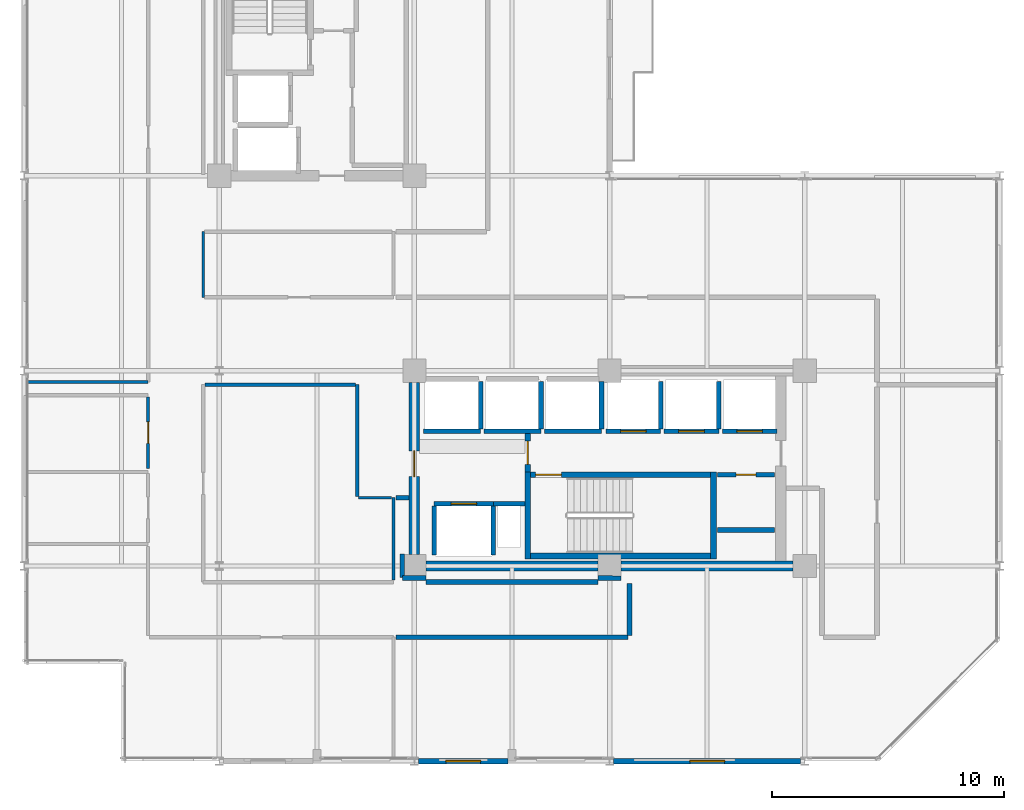
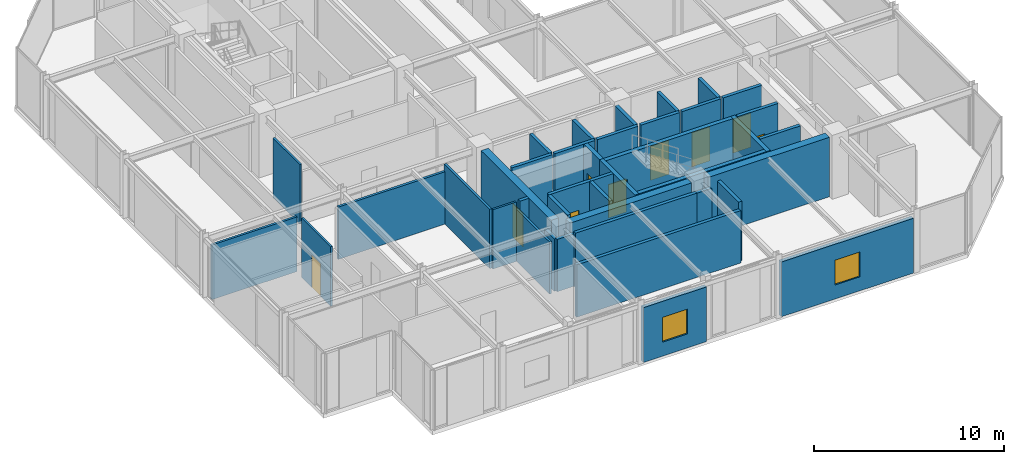
# One storey, part 20 of 25: 41 walls, 9 doors, 2 windows, 11 openings.
"""IFC4 building model written with IfcOpenShell, lengths in metres."""

from ifc_helpers import new_model, si_unit, direction, frame, frame_2d, origin, place, context, subcontext, project, spatial, rectangle, extrude, material, layer, layer_set, type_object, element, fill, save


model = new_model("IFC4")

# Units and contexts
model_context = context("Model", 3, precision=1e-05, world=origin(), true_north=direction((0.0, 1.0)))
body_context = subcontext(model_context, "Body", "Model", "MODEL_VIEW")
ifc_project = project(units=[si_unit("LENGTHUNIT", "METRE"), si_unit("AREAUNIT", "SQUARE_METRE"), si_unit("VOLUMEUNIT", "CUBIC_METRE"), si_unit("PLANEANGLEUNIT", "RADIAN"), si_unit("MASSUNIT", "GRAM", prefix="KILO")], contexts=[model_context])

# Site, building, storey
site_placement = place(None, origin())
site = spatial("IfcSite", under=ifc_project, at=site_placement, CompositionType="ELEMENT")
building_placement = place(site_placement, origin())
building = spatial("IfcBuilding", under=site, at=building_placement, Name="Nerrivon Quay Data Exchange", CompositionType="ELEMENT")
storey_placement = place(building_placement, frame((0.0, 0.0, 224.699951171875)))
storey = spatial("IfcBuildingStorey", under=building, at=storey_placement, Name="L53", CompositionType="ELEMENT", Elevation=224.699951171875)

# Wall, opening, window
ifc_material_1 = material(Name="Architectural terracotta precast concrete N50 (50 MPa)", Category="masonry")
ifc_layer_1 = layer(ifc_material_1, 0.239990234375)
ifc_layer_set_1 = layer_set([ifc_layer_1], Name="Architectural terracotta precast concrete N50 (50 MPa)")
wall_type_1 = type_object("IfcWallType", Name="EW-PREC-240", PredefinedType="STANDARD", material=ifc_layer_set_1)
wall_1_placement = place(storey_placement, frame((33.425048828125, 0.0, 0.0), z_axis=(0.0, 0.0, 1.0), x_axis=(-1.0, 0.0, 0.0)))
wall_1 = element("IfcWall", 1, at=wall_1_placement, inside=storey, type_object=wall_type_1, Name="L53 Podium Precast Spandrel Wall 3", PredefinedType="STANDARD", context=body_context, shape_type="SweptSolid", body=[
    extrude(rectangle(XDim=8.050048828125, YDim=0.239990234375, at=frame_2d((4.02490234375, 0.0))), origin(), (0.0, 0.0, 1.0), 3.525146484375),
])
opening_1_placement = place(wall_1_placement, frame((3.27490234375, 0.0, 0.89990234375)))
opening_1 = element("IfcOpeningElement", 2, at=opening_1_placement, cuts=wall_1, Name="Opening WN4", PredefinedType="OPENING", context=body_context, shape_type="SweptSolid", body=[
    extrude(rectangle(XDim=1.5, YDim=1.60009765625, at=frame_2d((0.75, 0.800048828125))), frame((0.0, 0.1298828125, 0.0), z_axis=(0.0, -1.0, 0.0), x_axis=(1.0, 0.0, 0.0)), (0.0, 0.0, 1.0), 0.260009765625),
])
ifc_material_2 = material(Name="Double-glazed low-E solar control glass", Category="glass")
window_type = type_object("IfcWindowType", Name="WIN-W4-1500x1600", PartitioningType="SINGLE_PANEL", PredefinedType="WINDOW", material=ifc_material_2)
window_1_placement = place(opening_1_placement, origin())
window_1 = element("IfcWindow", 3, at=window_1_placement, inside=storey, type_object=window_type, Name="L53 Solar Facade Window 3", OverallHeight=1.60009765625, OverallWidth=1.5, PartitioningType="SINGLE_PANEL", PredefinedType="WINDOW", context=body_context, shape_type="SweptSolid", body=[
    extrude(rectangle(XDim=1.5, YDim=1.60009765625, at=frame_2d((0.75, 0.800048828125))), frame((0.0, 0.030029296875, 0.0), z_axis=(0.0, -1.0, 0.0), x_axis=(1.0, 0.0, 0.0)), (0.0, 0.0, 1.0), 0.06005859375),
])
fill(opening_1, window_1)

wall_2_placement = place(storey_placement, frame((20.824951171875, 0.0, 0.0), z_axis=(0.0, 0.0, 1.0), x_axis=(-1.0, 0.0, 0.0)))
wall_2 = element("IfcWall", 4, at=wall_2_placement, inside=storey, type_object=wall_type_1, Name="L53 Podium Precast Spandrel Wall 5", PredefinedType="STANDARD", context=body_context, shape_type="SweptSolid", body=[
    extrude(rectangle(XDim=3.849853515625, YDim=0.239990234375, at=frame_2d((1.9248046875, 0.0))), origin(), (0.0, 0.0, 1.0), 3.525146484375),
])
opening_2_placement = place(wall_2_placement, frame((1.175048828125, 0.0, 0.89990234375)))
opening_2 = element("IfcOpeningElement", 5, at=opening_2_placement, cuts=wall_2, Name="Opening WN4", PredefinedType="OPENING", context=body_context, shape_type="SweptSolid", body=[
    extrude(rectangle(XDim=1.5, YDim=1.60009765625, at=frame_2d((0.75, 0.800048828125))), frame((0.0, 0.1298828125, 0.0), z_axis=(0.0, -1.0, 0.0), x_axis=(1.0, 0.0, 0.0)), (0.0, 0.0, 1.0), 0.260009765625),
])
window_2_placement = place(opening_2_placement, origin())
window_2 = element("IfcWindow", 6, at=window_2_placement, inside=storey, type_object=window_type, Name="L53 Solar Facade Window 5", OverallHeight=1.60009765625, OverallWidth=1.5, PartitioningType="SINGLE_PANEL", PredefinedType="WINDOW", context=body_context, shape_type="SweptSolid", body=[
    extrude(rectangle(XDim=1.5, YDim=1.60009765625, at=frame_2d((0.75, 0.800048828125))), frame((0.0, 0.030029296875, 0.0), z_axis=(0.0, -1.0, 0.0), x_axis=(1.0, 0.0, 0.0)), (0.0, 0.0, 1.0), 0.06005859375),
])
fill(opening_2, window_2)

# Walls
ifc_material_3 = material(Name="Concrete N50 (50 MPa)", Category="concrete")
ifc_layer_2 = layer(ifc_material_3, 0.449951171875)
ifc_layer_set_2 = layer_set([ifc_layer_2], Name="Concrete N50 (50 MPa)")
wall_type_2 = type_object("IfcWallType", Name="WALL-CW-550", PredefinedType="SHEAR", material=ifc_layer_set_2)
wall_3_placement = place(storey_placement, frame((17.300048828125, 8.39990234375, 0.0), z_axis=(0.0, 0.0, 1.0), x_axis=(1.0, 0.0, 0.0)))
element("IfcWall", 7, at=wall_3_placement, inside=storey, type_object=wall_type_2, Name="L53 East Split-Core Shear Wall ECW-S1", PredefinedType="SHEAR", context=body_context, shape_type="SweptSolid", body=[
    extrude(rectangle(XDim=7.39990234375, YDim=0.449951171875, at=frame_2d((3.699951171875, 0.0))), origin(), (0.0, 0.0, 1.0), 3.824951171875),
])
wall_4_placement = place(storey_placement, frame((25.699951171875, 8.39990234375, 0.0), z_axis=(0.0, 0.0, 1.0), x_axis=(1.0, 0.0, 0.0)))
element("IfcWall", 8, at=wall_4_placement, inside=storey, type_object=wall_type_2, Name="L53 East Split-Core Shear Wall ECW-S2", PredefinedType="SHEAR", context=body_context, shape_type="SweptSolid", body=[
    extrude(rectangle(XDim=7.400146484375, YDim=0.449951171875, at=frame_2d((3.7001953125, 0.0))), origin(), (0.0, 0.0, 1.0), 3.824951171875),
])

# Wall, opening, door
wall_5_placement = place(storey_placement, frame((16.800048828125, 8.89990234375, 0.0), z_axis=(0.0, 0.0, 1.0), x_axis=(0.0, 1.0, 0.0)))
wall_5 = element("IfcWall", 9, at=wall_5_placement, inside=storey, type_object=wall_type_2, Name="L53 East Split-Core Shear Wall ECW-W1", PredefinedType="SHEAR", context=body_context, shape_type="SweptSolid", body=[
    extrude(rectangle(XDim=7.400146484375, YDim=0.449951171875, at=frame_2d((3.7001953125, 0.0))), origin(), (0.0, 0.0, 1.0), 3.824951171875),
])
opening_3_placement = place(wall_5_placement, frame((3.35009765625, 0.0, 0.0)))
opening_3 = element("IfcOpeningElement", 10, at=opening_3_placement, cuts=wall_5, Name="Opening FD-120", PredefinedType="OPENING", context=body_context, shape_type="SweptSolid", body=[
    extrude(rectangle(XDim=1.10009765625, YDim=2.14990234375, at=frame_2d((0.550048828125, 1.074951171875))), frame((0.0, 0.23486328125, 0.0), z_axis=(0.0, -1.0, 0.0), x_axis=(1.0, 0.0, 0.0)), (0.0, 0.0, 1.0), 0.469970703125),
])
ifc_material_4 = material(Name="Powder-coated galvanized steel sheet", Category="steel")
door_type_1 = type_object("IfcDoorType", Name="DR-FD120-1100", OperationType="NOTDEFINED", PredefinedType="DOOR", material=ifc_material_4)
door_1_placement = place(opening_3_placement, origin())
door_1 = element("IfcDoor", 11, at=door_1_placement, inside=storey, type_object=door_type_1, Name="L53 East Core Lobby Fire Door", OperationType="SINGLE_SWING_RIGHT", OverallHeight=2.14990234375, OverallWidth=1.10009765625, PredefinedType="DOOR", context=body_context, shape_type="SweptSolid", body=[
    extrude(rectangle(XDim=1.10009765625, YDim=2.14990234375, at=frame_2d((0.550048828125, 1.074951171875))), frame((0.0, 0.02490234375, 0.0), z_axis=(0.0, -1.0, 0.0), x_axis=(1.0, 0.0, 0.0)), (0.0, 0.0, 1.0), 0.050048828125),
])
fill(opening_3, door_1)

# Wall
ifc_material_5 = material(Name="Gypsum plasterboard on cold-formed framing", Category="gypsum")
ifc_layer_3 = layer(ifc_material_5, 0.199951171875)
ifc_layer_set_3 = layer_set([ifc_layer_3], Name="Gypsum plasterboard on cold-formed framing")
wall_type_3 = type_object("IfcWallType", Name="WALL-FW-200", PredefinedType="PARTITIONING", material=ifc_layer_set_3)
wall_6_placement = place(storey_placement, frame((20.199951171875, 11.080078125, 0.0), z_axis=(0.0, 0.0, 1.0), x_axis=(1.0, 0.0, 0.0)))
element("IfcWall", 12, at=wall_6_placement, inside=storey, type_object=wall_type_3, Name="L53 East Core MEP Riser Shaft Wall N", PredefinedType="PARTITIONING", context=body_context, shape_type="SweptSolid", body=[
    extrude(rectangle(XDim=1.35009765625, YDim=0.199951171875, at=frame_2d((0.675048828125, 0.0))), origin(), (0.0, 0.0, 1.0), 3.824951171875),
])

# Wall, opening, door
wall_7_placement = place(storey_placement, frame((17.64990234375, 11.080078125, 0.0), z_axis=(0.0, 0.0, 1.0), x_axis=(1.0, 0.0, 0.0)))
wall_7 = element("IfcWall", 13, at=wall_7_placement, inside=storey, type_object=wall_type_3, Name="L53 Lift Front Wall FFL-2", PredefinedType="PARTITIONING", context=body_context, shape_type="SweptSolid", body=[
    extrude(rectangle(XDim=2.550048828125, YDim=0.199951171875, at=frame_2d((1.27490234375, 0.0))), origin(), (0.0, 0.0, 1.0), 3.824951171875),
])
opening_4_placement = place(wall_7_placement, frame((0.72509765625, 0.0, 0.0)))
opening_4 = element("IfcOpeningElement", 14, at=opening_4_placement, cuts=wall_7, Name="Opening LD-120", PredefinedType="OPENING", context=body_context, shape_type="SweptSolid", body=[
    extrude(rectangle(XDim=1.10009765625, YDim=2.199951171875, at=frame_2d((0.550048828125, 1.10009765625))), frame((0.0, 0.10986328125, 0.0), z_axis=(0.0, -1.0, 0.0), x_axis=(1.0, 0.0, 0.0)), (0.0, 0.0, 1.0), 0.219970703125),
])
door_type_2 = type_object("IfcDoorType", Name="DR-LIFT-LD120", OperationType="DOUBLE_DOOR_SLIDING", PredefinedType="DOOR", material=ifc_material_4)
door_2_placement = place(opening_4_placement, origin())
door_2 = element("IfcDoor", 15, at=door_2_placement, inside=storey, type_object=door_type_2, Name="L53 Lift Landing Sliding Door FFL-2", OperationType="DOUBLE_DOOR_SLIDING", OverallHeight=2.199951171875, OverallWidth=1.10009765625, PredefinedType="DOOR", context=body_context, shape_type="SweptSolid", body=[
    extrude(rectangle(XDim=1.10009765625, YDim=2.199951171875, at=frame_2d((0.550048828125, 1.10009765625))), frame((0.0, 0.02490234375, 0.0), z_axis=(0.0, -1.0, 0.0), x_axis=(1.0, 0.0, 0.0)), (0.0, 0.0, 1.0), 0.050048828125),
])
fill(opening_4, door_2)

# Walls
for number, where, z_axis, x_axis, name in (
    (16, (20.199951171875, 8.8798828125, 0.0), (0.0, 0.0, 1.0), (0.0, 1.0, 0.0), "L53 Lift Shaft Wall FFL-2 EAST"),
    (17, (17.64990234375, 8.8798828125, 0.0), (0.0, 0.0, 1.0), (0.0, 1.0, 0.0), "L53 Lift Shaft Wall FFL-2 WEST"),
):
    element("IfcWall", number, at=place(storey_placement, frame(where, z_axis=z_axis, x_axis=x_axis)), inside=storey, type_object=wall_type_3, Name=name, PredefinedType="PARTITIONING", context=body_context, shape_type="SweptSolid", body=[
        extrude(rectangle(XDim=2.10009765625, YDim=0.199951171875, at=frame_2d((1.050048828125, 0.0))), origin(), (0.0, 0.0, 1.0), 3.824951171875),
    ])
wall_8_placement = place(storey_placement, frame((17.199951171875, 14.199951171875, 0.0), z_axis=(0.0, 0.0, 1.0), x_axis=(1.0, 0.0, 0.0)))
element("IfcWall", 18, at=wall_8_placement, inside=storey, type_object=wall_type_3, Name="L53 Lift Front Wall PL4", PredefinedType="PARTITIONING", context=body_context, shape_type="SweptSolid", body=[
    extrude(rectangle(XDim=2.449951171875, YDim=0.199951171875, at=frame_2d((1.22509765625, 0.0))), origin(), (0.0, 0.0, 1.0), 3.824951171875),
])
wall_9_placement = place(storey_placement, frame((19.64990234375, 14.300048828125, 0.0), z_axis=(0.0, 0.0, 1.0), x_axis=(0.0, 1.0, 0.0)))
element("IfcWall", 19, at=wall_9_placement, inside=storey, type_object=wall_type_3, Name="L53 Lift Shaft Wall PL4 EAST", PredefinedType="PARTITIONING", context=body_context, shape_type="SweptSolid", body=[
    extrude(rectangle(XDim=2.050048828125, YDim=0.199951171875, at=frame_2d((1.02490234375, 0.0))), origin(), (0.0, 0.0, 1.0), 3.824951171875),
])
wall_10_placement = place(storey_placement, frame((19.800048828125, 14.199951171875, 0.0), z_axis=(0.0, 0.0, 1.0), x_axis=(1.0, 0.0, 0.0)))
element("IfcWall", 20, at=wall_10_placement, inside=storey, type_object=wall_type_3, Name="L53 Lift Front Wall PL5", PredefinedType="PARTITIONING", context=body_context, shape_type="SweptSolid", body=[
    extrude(rectangle(XDim=2.449951171875, YDim=0.199951171875, at=frame_2d((1.22509765625, 0.0))), origin(), (0.0, 0.0, 1.0), 3.824951171875),
])
wall_11_placement = place(storey_placement, frame((22.25, 14.300048828125, 0.0), z_axis=(0.0, 0.0, 1.0), x_axis=(0.0, 1.0, 0.0)))
element("IfcWall", 21, at=wall_11_placement, inside=storey, type_object=wall_type_3, Name="L53 Lift Shaft Wall PL5 EAST", PredefinedType="PARTITIONING", context=body_context, shape_type="SweptSolid", body=[
    extrude(rectangle(XDim=2.050048828125, YDim=0.199951171875, at=frame_2d((1.02490234375, 0.0))), origin(), (0.0, 0.0, 1.0), 3.824951171875),
])
wall_12_placement = place(storey_placement, frame((22.39990234375, 14.199951171875, 0.0), z_axis=(0.0, 0.0, 1.0), x_axis=(1.0, 0.0, 0.0)))
element("IfcWall", 22, at=wall_12_placement, inside=storey, type_object=wall_type_3, Name="L53 Lift Front Wall PL6", PredefinedType="PARTITIONING", context=body_context, shape_type="SweptSolid", body=[
    extrude(rectangle(XDim=2.4501953125, YDim=0.199951171875, at=frame_2d((1.22509765625, 0.0))), origin(), (0.0, 0.0, 1.0), 3.824951171875),
])
wall_13_placement = place(storey_placement, frame((24.85009765625, 14.300048828125, 0.0), z_axis=(0.0, 0.0, 1.0), x_axis=(0.0, 1.0, 0.0)))
element("IfcWall", 23, at=wall_13_placement, inside=storey, type_object=wall_type_3, Name="L53 Lift Shaft Wall PL6 EAST", PredefinedType="PARTITIONING", context=body_context, shape_type="SweptSolid", body=[
    extrude(rectangle(XDim=2.050048828125, YDim=0.199951171875, at=frame_2d((1.02490234375, 0.0))), origin(), (0.0, 0.0, 1.0), 3.824951171875),
])

# Wall, opening, door
wall_14_placement = place(storey_placement, frame((25.050048828125, 14.199951171875, 0.0), z_axis=(0.0, 0.0, 1.0), x_axis=(1.0, 0.0, 0.0)))
wall_14 = element("IfcWall", 24, at=wall_14_placement, inside=storey, type_object=wall_type_3, Name="L53 Lift Front Wall PL7", PredefinedType="PARTITIONING", context=body_context, shape_type="SweptSolid", body=[
    extrude(rectangle(XDim=2.349853515625, YDim=0.199951171875, at=frame_2d((1.1748046875, 0.0))), origin(), (0.0, 0.0, 1.0), 3.824951171875),
])
opening_5_placement = place(wall_14_placement, frame((0.625, 0.0, 0.0)))
opening_5 = element("IfcOpeningElement", 25, at=opening_5_placement, cuts=wall_14, Name="Opening LD-120", PredefinedType="OPENING", context=body_context, shape_type="SweptSolid", body=[
    extrude(rectangle(XDim=1.10009765625, YDim=2.199951171875, at=frame_2d((0.550048828125, 1.10009765625))), frame((0.0, 0.10986328125, 0.0), z_axis=(0.0, -1.0, 0.0), x_axis=(1.0, 0.0, 0.0)), (0.0, 0.0, 1.0), 0.219970703125),
])
door_3_placement = place(opening_5_placement, origin())
door_3 = element("IfcDoor", 26, at=door_3_placement, inside=storey, type_object=door_type_2, Name="L53 Lift Landing Sliding Door PL7", OperationType="DOUBLE_DOOR_SLIDING", OverallHeight=2.199951171875, OverallWidth=1.10009765625, PredefinedType="DOOR", context=body_context, shape_type="SweptSolid", body=[
    extrude(rectangle(XDim=1.10009765625, YDim=2.199951171875, at=frame_2d((0.550048828125, 1.10009765625))), frame((0.0, 0.02490234375, 0.0), z_axis=(0.0, -1.0, 0.0), x_axis=(1.0, 0.0, 0.0)), (0.0, 0.0, 1.0), 0.050048828125),
])
fill(opening_5, door_3)

# Wall
wall_15_placement = place(storey_placement, frame((27.39990234375, 14.300048828125, 0.0), z_axis=(0.0, 0.0, 1.0), x_axis=(0.0, 1.0, 0.0)))
element("IfcWall", 27, at=wall_15_placement, inside=storey, type_object=wall_type_3, Name="L53 Lift Shaft Wall PL7 EAST", PredefinedType="PARTITIONING", context=body_context, shape_type="SweptSolid", body=[
    extrude(rectangle(XDim=2.050048828125, YDim=0.199951171875, at=frame_2d((1.02490234375, 0.0))), origin(), (0.0, 0.0, 1.0), 3.824951171875),
])

# Wall, opening, door
wall_16_placement = place(storey_placement, frame((27.550048828125, 14.199951171875, 0.0), z_axis=(0.0, 0.0, 1.0), x_axis=(1.0, 0.0, 0.0)))
wall_16 = element("IfcWall", 28, at=wall_16_placement, inside=storey, type_object=wall_type_3, Name="L53 Lift Front Wall PL8", PredefinedType="PARTITIONING", context=body_context, shape_type="SweptSolid", body=[
    extrude(rectangle(XDim=2.349853515625, YDim=0.199951171875, at=frame_2d((1.1748046875, 0.0))), origin(), (0.0, 0.0, 1.0), 3.824951171875),
])
opening_6_placement = place(wall_16_placement, frame((0.625, 0.0, 0.0)))
opening_6 = element("IfcOpeningElement", 29, at=opening_6_placement, cuts=wall_16, Name="Opening LD-120", PredefinedType="OPENING", context=body_context, shape_type="SweptSolid", body=[
    extrude(rectangle(XDim=1.10009765625, YDim=2.199951171875, at=frame_2d((0.550048828125, 1.10009765625))), frame((0.0, 0.10986328125, 0.0), z_axis=(0.0, -1.0, 0.0), x_axis=(1.0, 0.0, 0.0)), (0.0, 0.0, 1.0), 0.219970703125),
])
door_4_placement = place(opening_6_placement, origin())
door_4 = element("IfcDoor", 30, at=door_4_placement, inside=storey, type_object=door_type_2, Name="L53 Lift Landing Sliding Door PL8", OperationType="DOUBLE_DOOR_SLIDING", OverallHeight=2.199951171875, OverallWidth=1.10009765625, PredefinedType="DOOR", context=body_context, shape_type="SweptSolid", body=[
    extrude(rectangle(XDim=1.10009765625, YDim=2.199951171875, at=frame_2d((0.550048828125, 1.10009765625))), frame((0.0, 0.02490234375, 0.0), z_axis=(0.0, -1.0, 0.0), x_axis=(1.0, 0.0, 0.0)), (0.0, 0.0, 1.0), 0.050048828125),
])
fill(opening_6, door_4)

# Wall
wall_17_placement = place(storey_placement, frame((29.89990234375, 14.300048828125, 0.0), z_axis=(0.0, 0.0, 1.0), x_axis=(0.0, 1.0, 0.0)))
element("IfcWall", 31, at=wall_17_placement, inside=storey, type_object=wall_type_3, Name="L53 Lift Shaft Wall PL8 EAST", PredefinedType="PARTITIONING", context=body_context, shape_type="SweptSolid", body=[
    extrude(rectangle(XDim=2.050048828125, YDim=0.199951171875, at=frame_2d((1.02490234375, 0.0))), origin(), (0.0, 0.0, 1.0), 3.824951171875),
])

# Wall, opening, door
wall_18_placement = place(storey_placement, frame((30.050048828125, 14.199951171875, 0.0), z_axis=(0.0, 0.0, 1.0), x_axis=(1.0, 0.0, 0.0)))
wall_18 = element("IfcWall", 32, at=wall_18_placement, inside=storey, type_object=wall_type_3, Name="L53 Lift Front Wall PL9", PredefinedType="PARTITIONING", context=body_context, shape_type="SweptSolid", body=[
    extrude(rectangle(XDim=2.349853515625, YDim=0.199951171875, at=frame_2d((1.1748046875, 0.0))), origin(), (0.0, 0.0, 1.0), 3.824951171875),
])
opening_7_placement = place(wall_18_placement, frame((0.625, 0.0, 0.0)))
opening_7 = element("IfcOpeningElement", 33, at=opening_7_placement, cuts=wall_18, Name="Opening LD-120", PredefinedType="OPENING", context=body_context, shape_type="SweptSolid", body=[
    extrude(rectangle(XDim=1.10009765625, YDim=2.199951171875, at=frame_2d((0.550048828125, 1.10009765625))), frame((0.0, 0.10986328125, 0.0), z_axis=(0.0, -1.0, 0.0), x_axis=(1.0, 0.0, 0.0)), (0.0, 0.0, 1.0), 0.219970703125),
])
door_5_placement = place(opening_7_placement, origin())
door_5 = element("IfcDoor", 34, at=door_5_placement, inside=storey, type_object=door_type_2, Name="L53 Lift Landing Sliding Door PL9", OperationType="DOUBLE_DOOR_SLIDING", OverallHeight=2.199951171875, OverallWidth=1.10009765625, PredefinedType="DOOR", context=body_context, shape_type="SweptSolid", body=[
    extrude(rectangle(XDim=1.10009765625, YDim=2.199951171875, at=frame_2d((0.550048828125, 1.10009765625))), frame((0.0, 0.02490234375, 0.0), z_axis=(0.0, -1.0, 0.0), x_axis=(1.0, 0.0, 0.0)), (0.0, 0.0, 1.0), 0.050048828125),
])
fill(opening_7, door_5)

wall_19_placement = place(storey_placement, frame((32.300048828125, 12.330078125, 0.0), z_axis=(0.0, 0.0, 1.0), x_axis=(-1.0, 0.0, 0.0)))
wall_19 = element("IfcWall", 35, at=wall_19_placement, inside=storey, type_object=wall_type_3, Name="L53 Partition East Supply Store", PredefinedType="PARTITIONING", context=body_context, shape_type="SweptSolid", body=[
    extrude(rectangle(XDim=2.449951171875, YDim=0.199951171875, at=frame_2d((1.22509765625, 0.0))), origin(), (0.0, 0.0, 1.0), 3.824951171875),
])
opening_8_placement = place(wall_19_placement, frame((0.800048828125, 0.0, 0.0)))
opening_8 = element("IfcOpeningElement", 36, at=opening_8_placement, cuts=wall_19, Name="Opening FD-60S", PredefinedType="OPENING", context=body_context, shape_type="SweptSolid", body=[
    extrude(rectangle(XDim=0.85009765625, YDim=2.14990234375, at=frame_2d((0.425048828125, 1.074951171875))), frame((0.0, 0.10986328125, 0.0), z_axis=(0.0, -1.0, 0.0), x_axis=(1.0, 0.0, 0.0)), (0.0, 0.0, 1.0), 0.219970703125),
])
ifc_material_6 = material(Name="Engineered hardwood timber", Category="wood")
door_type_3 = type_object("IfcDoorType", Name="DR-FD60-850", OperationType="NOTDEFINED", PredefinedType="DOOR", material=ifc_material_6)
door_6_placement = place(opening_8_placement, origin())
door_6 = element("IfcDoor", 37, at=door_6_placement, inside=storey, type_object=door_type_3, Name="L53 Door East Supply Store", OperationType="SINGLE_SWING_LEFT", OverallHeight=2.14990234375, OverallWidth=0.85009765625, PredefinedType="DOOR", context=body_context, shape_type="SweptSolid", body=[
    extrude(rectangle(XDim=0.85009765625, YDim=2.14990234375, at=frame_2d((0.425048828125, 1.074951171875))), frame((0.0, 0.02490234375, 0.0), z_axis=(0.0, -1.0, 0.0), x_axis=(1.0, 0.0, 0.0)), (0.0, 0.0, 1.0), 0.050048828125),
])
fill(opening_8, door_6)

# Walls
wall_20_placement = place(storey_placement, frame((29.85009765625, 9.949951171875, 0.0), z_axis=(0.0, 0.0, 1.0), x_axis=(1.0, 0.0, 0.0)))
element("IfcWall", 38, at=wall_20_placement, inside=storey, type_object=wall_type_3, Name="L53 Partition East Supply Store", PredefinedType="PARTITIONING", context=body_context, shape_type="SweptSolid", body=[
    extrude(rectangle(XDim=2.449951171875, YDim=0.199951171875, at=frame_2d((1.22509765625, 0.0))), origin(), (0.0, 0.0, 1.0), 3.824951171875),
])
wall_21_placement = place(storey_placement, frame((26.0, 5.340087890625, 0.0), z_axis=(0.0, 0.0, 1.0), x_axis=(-1.0, 0.0, 0.0)))
element("IfcWall", 39, at=wall_21_placement, inside=storey, type_object=wall_type_3, Name="L53 Partition Colocation Data Workspace 1", PredefinedType="PARTITIONING", context=body_context, shape_type="SweptSolid", body=[
    extrude(rectangle(XDim=9.9853515625, YDim=0.199951171875, at=frame_2d((4.99267578125, 0.0))), origin(), (0.0, 0.0, 1.0), 3.37109375),
])
wall_22_placement = place(storey_placement, frame((25.699951171875, 7.8798828125, 0.0), z_axis=(0.0, 0.0, 1.0), x_axis=(-0.999999528702, 0.000970873329, 0.0)))
element("IfcWall", 40, at=wall_22_placement, inside=storey, type_object=wall_type_3, Name="L53 Partition Colocation Data Workspace 1", PredefinedType="PARTITIONING", context=body_context, shape_type="SweptSolid", body=[
    extrude(rectangle(XDim=1.005859375, YDim=0.199951171875, at=frame_2d((0.5029296875, 0.0))), origin(), (0.0, 0.0, 1.0), 3.37109375),
])
wall_23_placement = place(storey_placement, frame((17.305908203125, 7.880859375, 0.0), z_axis=(0.0, 0.0, 1.0), x_axis=(-1.0, 0.0, 0.0)))
element("IfcWall", 41, at=wall_23_placement, inside=storey, type_object=wall_type_3, Name="L53 Partition Colocation Data Workspace 1", PredefinedType="PARTITIONING", context=body_context, shape_type="SweptSolid", body=[
    extrude(rectangle(XDim=1.01171875, YDim=0.199951171875, at=frame_2d((0.505859375, 0.0))), origin(), (0.0, 0.0, 1.0), 3.37109375),
])
wall_24_placement = place(storey_placement, frame((16.280029296875, 7.89990234375, 0.0), z_axis=(0.0, 0.0, 1.0), x_axis=(0.000970873329, 0.999999528702, 0.0)))
element("IfcWall", 42, at=wall_24_placement, inside=storey, type_object=wall_type_3, Name="L53 Partition Colocation Data Workspace 1", PredefinedType="PARTITIONING", context=body_context, shape_type="SweptSolid", body=[
    extrude(rectangle(XDim=1.005859375, YDim=0.199951171875, at=frame_2d((0.5029296875, 0.0))), origin(), (0.0, 0.0, 1.0), 3.364990234375),
])
wall_25_placement = place(storey_placement, frame((16.571044921875, 11.340087890625, 0.0), z_axis=(0.0, 0.0, 1.0), x_axis=(-1.0, 0.0, 0.0)))
element("IfcWall", 43, at=wall_25_placement, inside=storey, type_object=wall_type_3, Name="L53 Partition Colocation Data Workspace 1", PredefinedType="PARTITIONING", context=body_context, shape_type="SweptSolid", body=[
    extrude(rectangle(XDim=0.556396484375, YDim=0.199951171875, at=frame_2d((0.2783203125, 0.0))), origin(), (0.0, 0.0, 1.0), 3.824951171875),
])
wall_26_placement = place(storey_placement, frame((17.305908203125, 7.7099609375, 0.0), z_axis=(0.0, 0.0, 1.0), x_axis=(0.999999999454, -3.3044743e-05, 0.0)))
element("IfcWall", 44, at=wall_26_placement, inside=storey, type_object=wall_type_3, Name="L53 Partition Colocation Data Workspace 1", PredefinedType="PARTITIONING", context=body_context, shape_type="SweptSolid", body=[
    extrude(rectangle(XDim=7.38818359375, YDim=0.199951171875, at=frame_2d((3.694091796875, 0.0))), origin(), (0.0, 0.0, 1.0), 3.51806640625),
])
wall_27_placement = place(storey_placement, frame((26.06005859375, 7.64990234375, 0.0), z_axis=(0.0, 0.0, 1.0), x_axis=(0.0, -1.0, 0.0)))
element("IfcWall", 45, at=wall_27_placement, inside=storey, type_object=wall_type_3, Name="L53 Partition Colocation Data Workspace 1", PredefinedType="PARTITIONING", context=body_context, shape_type="SweptSolid", body=[
    extrude(rectangle(XDim=2.25, YDim=0.199951171875, at=frame_2d((1.125, 0.0))), origin(), (0.0, 0.0, 1.0), 3.824951171875),
])

# Wall, opening, door
ifc_layer_4 = layer(ifc_material_5, 0.1201171875)
ifc_layer_set_4 = layer_set([ifc_layer_4], Name="Gypsum plasterboard on cold-formed framing")
wall_type_4 = type_object("IfcWallType", Name="WALL-PT-120", PredefinedType="PARTITIONING", material=ifc_layer_set_4)
wall_28_placement = place(storey_placement, frame((5.340087890625, 12.60009765625, 0.0), z_axis=(0.0, 0.0, 1.0), x_axis=(0.0, 1.0, 0.0)))
wall_28 = element("IfcWall", 46, at=wall_28_placement, inside=storey, type_object=wall_type_4, Name="L53 Partition Public Washrooms", PredefinedType="PARTITIONING", context=body_context, shape_type="SweptSolid", body=[
    extrude(rectangle(XDim=3.078369140625, YDim=0.1201171875, at=frame_2d((1.5390625, 0.0))), origin(), (0.0, 0.0, 1.0), 3.824951171875),
])
opening_9_placement = place(wall_28_placement, frame((1.079345703125, 0.0, 0.0)))
opening_9 = element("IfcOpeningElement", 47, at=opening_9_placement, cuts=wall_28, Name="Opening D-WC", PredefinedType="OPENING", context=body_context, shape_type="SweptSolid", body=[
    extrude(rectangle(XDim=0.919921875, YDim=2.10009765625, at=frame_2d((0.4599609375, 1.050048828125))), frame((0.0, 0.070068359375, 0.0), z_axis=(0.0, -1.0, 0.0), x_axis=(1.0, 0.0, 0.0)), (0.0, 0.0, 1.0), 0.14013671875),
])
door_type_4 = type_object("IfcDoorType", Name="DR-WC-920", OperationType="NOTDEFINED", PredefinedType="DOOR", material=ifc_material_6)
door_7_placement = place(opening_9_placement, origin())
door_7 = element("IfcDoor", 48, at=door_7_placement, inside=storey, type_object=door_type_4, Name="L53 Door Public Washrooms", OperationType="SINGLE_SWING_LEFT", OverallHeight=2.10009765625, OverallWidth=0.919921875, PredefinedType="DOOR", context=body_context, shape_type="SweptSolid", body=[
    extrude(rectangle(XDim=0.919921875, YDim=2.10009765625, at=frame_2d((0.4599609375, 1.050048828125))), frame((0.0, 0.02490234375, 0.0), z_axis=(0.0, -1.0, 0.0), x_axis=(1.0, 0.0, 0.0)), (0.0, 0.0, 1.0), 0.050048828125),
])
fill(opening_9, door_7)

# Walls
wall_29_placement = place(storey_placement, frame((7.7099609375, 22.7900390625, 0.0), z_axis=(0.0, 0.0, 1.0), x_axis=(0.0, -1.0, 0.0)))
element("IfcWall", 49, at=wall_29_placement, inside=storey, type_object=wall_type_4, Name="L53 Partition Staff Pantry", PredefinedType="PARTITIONING", context=body_context, shape_type="SweptSolid", body=[
    extrude(rectangle(XDim=2.830078125, YDim=0.1201171875, at=frame_2d((1.4150390625, 0.0))), origin(), (0.0, 0.0, 1.0), 3.824951171875),
])
wall_30_placement = place(storey_placement, frame((15.822998046875, 11.340087890625, 0.0), z_axis=(0.0, 0.0, 1.0), x_axis=(-1.0, 0.0, 0.0)))
element("IfcWall", 50, at=wall_30_placement, inside=storey, type_object=wall_type_4, Name="L53 Partition Engineers Lounge", PredefinedType="PARTITIONING", context=body_context, shape_type="SweptSolid", body=[
    extrude(rectangle(XDim=1.423095703125, YDim=0.1201171875, at=frame_2d((0.71142578125, 0.0))), origin(), (0.0, 0.0, 1.0), 3.824951171875),
])
ifc_layer_5 = layer(ifc_material_5, 0.135009765625)
ifc_layer_set_5 = layer_set([ifc_layer_5], Name="Gypsum plasterboard on cold-formed framing")
wall_type_5 = type_object("IfcWallType", Name="WALL-PT-135", PredefinedType="PARTITIONING", material=ifc_layer_set_5)
wall_31_placement = place(storey_placement, frame((15.89453125, 7.788818359375, 0.0), z_axis=(0.0, 0.0, 1.0), x_axis=(0.0, 1.0, 0.0)))
element("IfcWall", 51, at=wall_31_placement, inside=storey, type_object=wall_type_5, Name="L53 Partition Engineers Lounge", PredefinedType="PARTITIONING", context=body_context, shape_type="SweptSolid", body=[
    extrude(rectangle(XDim=3.55126953125, YDim=0.135009765625, at=frame_2d((1.775634765625, 0.0))), origin(), (0.0, 0.0, 1.0), 3.364990234375),
])
wall_32_placement = place(storey_placement, frame((14.340087890625, 11.39990234375, 0.0), z_axis=(0.0, 0.0, 1.0), x_axis=(0.0, 1.0, 0.0)))
element("IfcWall", 52, at=wall_32_placement, inside=storey, type_object=wall_type_5, Name="L53 Partition Engineers Lounge", PredefinedType="PARTITIONING", context=body_context, shape_type="SweptSolid", body=[
    extrude(rectangle(XDim=4.80078125, YDim=0.135009765625, at=frame_2d((2.400390625, 0.0))), origin(), (0.0, 0.0, 1.0), 3.824951171875),
])
wall_33_placement = place(storey_placement, frame((0.1689453125, 16.32080078125, 0.0), z_axis=(0.0, 0.0, 1.0), x_axis=(1.0, 0.0, 0.0)))
element("IfcWall", 53, at=wall_33_placement, inside=storey, type_object=wall_type_5, Name="L53 Partition Technical Library", PredefinedType="PARTITIONING", context=body_context, shape_type="SweptSolid", body=[
    extrude(rectangle(XDim=5.171142578125, YDim=0.135009765625, at=frame_2d((2.58544921875, 0.0))), origin(), (0.0, 0.0, 1.0), 3.51806640625),
])
ifc_layer_6 = layer(ifc_material_5, 0.14990234375)
ifc_layer_set_6 = layer_set([ifc_layer_6], Name="Gypsum plasterboard on cold-formed framing")
wall_type_6 = type_object("IfcWallType", Name="WALL-PT-150", PredefinedType="PARTITIONING", material=ifc_layer_set_6)
wall_34_placement = place(storey_placement, frame((14.2685546875, 16.20068359375, 0.0), z_axis=(0.0, 0.0, 1.0), x_axis=(-1.0, 0.0, 0.0)))
element("IfcWall", 54, at=wall_34_placement, inside=storey, type_object=wall_type_6, Name="L53 Partition Engineers Lounge", PredefinedType="PARTITIONING", context=body_context, shape_type="SweptSolid", body=[
    extrude(rectangle(XDim=6.4794921875, YDim=0.14990234375, at=frame_2d((3.23974609375, 0.0))), origin(), (0.0, 0.0, 1.0), 3.37109375),
])
ifc_layer_7 = layer(ifc_material_3, 0.25)
ifc_layer_set_7 = layer_set([ifc_layer_7], Name="Concrete N50 (50 MPa)")
wall_type_7 = type_object("IfcWallType", Name="WALL-SW-250", PredefinedType="SHEAR", material=ifc_layer_set_7)
for number, where, z_axis, x_axis, name in (
    (55, (21.675048828125, 8.699951171875, 0.0), (0.0, 0.0, 1.0), (0.0, 1.0, 0.0), "L53 ST02 Structural Stair Core Wall NEAR"),
    (56, (29.675048828125, 8.699951171875, 0.0), (0.0, 0.0, 1.0), (0.0, 1.0, 0.0), "L53 ST02 Structural Stair Core Wall FAR"),
):
    element("IfcWall", number, at=place(storey_placement, frame(where, z_axis=z_axis, x_axis=x_axis)), inside=storey, type_object=wall_type_7, Name=name, PredefinedType="SHEAR", context=body_context, shape_type="SweptSolid", body=[
        extrude(rectangle(XDim=3.75, YDim=0.25, at=frame_2d((1.875, 0.0))), origin(), (0.0, 0.0, 1.0), 3.824951171875),
    ])
wall_35_placement = place(storey_placement, frame((21.800048828125, 8.824951171875, 0.0), z_axis=(0.0, 0.0, 1.0), x_axis=(1.0, 0.0, 0.0)))
element("IfcWall", 57, at=wall_35_placement, inside=storey, type_object=wall_type_7, Name="L53 ST02 Structural Stair Core Wall LEFT", PredefinedType="SHEAR", context=body_context, shape_type="SweptSolid", body=[
    extrude(rectangle(XDim=7.75, YDim=0.25, at=frame_2d((3.875, 0.0))), origin(), (0.0, 0.0, 1.0), 3.824951171875),
])

# Wall, opening, door
wall_36_placement = place(storey_placement, frame((21.800048828125, 12.324951171875, 0.0), z_axis=(0.0, 0.0, 1.0), x_axis=(1.0, 0.0, 0.0)))
wall_36 = element("IfcWall", 58, at=wall_36_placement, inside=storey, type_object=wall_type_7, Name="L53 ST02 Structural Stair Core Wall RIGHT", PredefinedType="SHEAR", context=body_context, shape_type="SweptSolid", body=[
    extrude(rectangle(XDim=7.75, YDim=0.25, at=frame_2d((3.875, 0.0))), origin(), (0.0, 0.0, 1.0), 3.824951171875),
])
opening_10_placement = place(wall_36_placement, frame((0.219970703125, 0.0, 0.0)))
opening_10 = element("IfcOpeningElement", 59, at=opening_10_placement, cuts=wall_36, Name="Opening FD-120", PredefinedType="OPENING", context=body_context, shape_type="SweptSolid", body=[
    extrude(rectangle(XDim=1.10009765625, YDim=2.14990234375, at=frame_2d((0.550048828125, 1.074951171875))), frame((0.0, 0.135009765625, 0.0), z_axis=(0.0, -1.0, 0.0), x_axis=(1.0, 0.0, 0.0)), (0.0, 0.0, 1.0), 0.27001953125),
])
door_8_placement = place(opening_10_placement, origin())
door_8 = element("IfcDoor", 60, at=door_8_placement, inside=storey, type_object=door_type_1, Name="L53 Protected Stair Door ST02", OperationType="SINGLE_SWING_RIGHT", OverallHeight=2.14990234375, OverallWidth=1.10009765625, PredefinedType="DOOR", context=body_context, shape_type="SweptSolid", body=[
    extrude(rectangle(XDim=1.10009765625, YDim=2.14990234375, at=frame_2d((0.550048828125, 1.074951171875))), frame((0.0, 0.02490234375, 0.0), z_axis=(0.0, -1.0, 0.0), x_axis=(1.0, 0.0, 0.0)), (0.0, 0.0, 1.0), 0.050048828125),
])
fill(opening_10, door_8)

wall_37_placement = place(storey_placement, frame((21.679931640625, 12.449951171875, 0.0), z_axis=(0.0, 0.0, 1.0), x_axis=(0.0, 1.0, 0.0)))
wall_37 = element("IfcWall", 61, at=wall_37_placement, inside=storey, type_object=wall_type_7, Name="L53 East Firefighting Lobby Wall", PredefinedType="SHEAR", context=body_context, shape_type="SweptSolid", body=[
    extrude(rectangle(XDim=1.650146484375, YDim=0.25, at=frame_2d((0.8251953125, 0.0))), origin(), (0.0, 0.0, 1.0), 3.824951171875),
])
opening_11_placement = place(wall_37_placement, frame((0.324951171875, 0.0, 0.0)))
opening_11 = element("IfcOpeningElement", 62, at=opening_11_placement, cuts=wall_37, Name="Opening FD-60", PredefinedType="OPENING", context=body_context, shape_type="SweptSolid", body=[
    extrude(rectangle(XDim=1.0, YDim=2.14990234375, at=frame_2d((0.5, 1.074951171875))), frame((0.0, 0.135009765625, 0.0), z_axis=(0.0, -1.0, 0.0), x_axis=(1.0, 0.0, 0.0)), (0.0, 0.0, 1.0), 0.27001953125),
])
door_type_5 = type_object("IfcDoorType", Name="DR-FD60-1000", OperationType="NOTDEFINED", PredefinedType="DOOR", material=ifc_material_6)
door_9_placement = place(opening_11_placement, origin())
door_9 = element("IfcDoor", 63, at=door_9_placement, inside=storey, type_object=door_type_5, Name="L53 East Firefighting Lobby Fire Door", OperationType="SINGLE_SWING_RIGHT", OverallHeight=2.14990234375, OverallWidth=1.0, PredefinedType="DOOR", context=body_context, shape_type="SweptSolid", body=[
    extrude(rectangle(XDim=1.0, YDim=2.14990234375, at=frame_2d((0.5, 1.074951171875))), frame((0.0, 0.02490234375, 0.0), z_axis=(0.0, -1.0, 0.0), x_axis=(1.0, 0.0, 0.0)), (0.0, 0.0, 1.0), 0.050048828125),
])
fill(opening_11, door_9)

save(model, "model.ifc")
